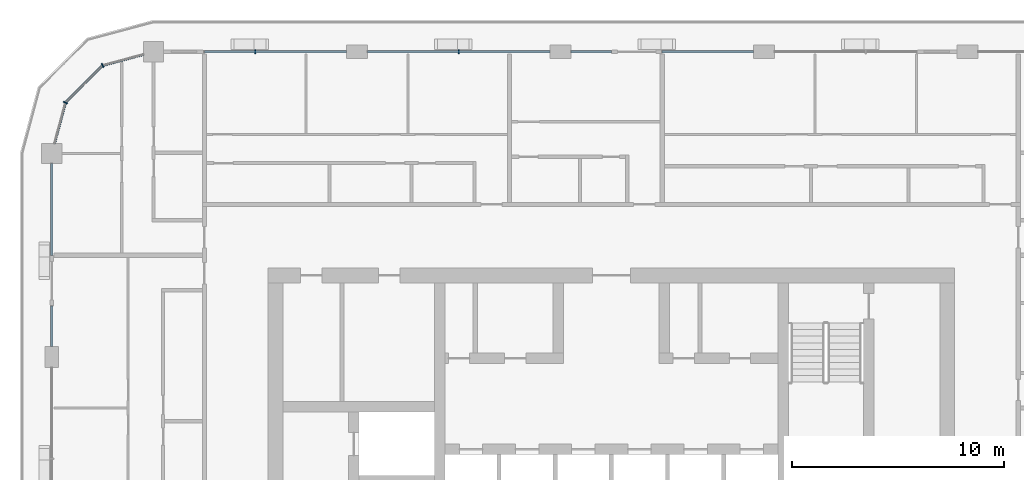
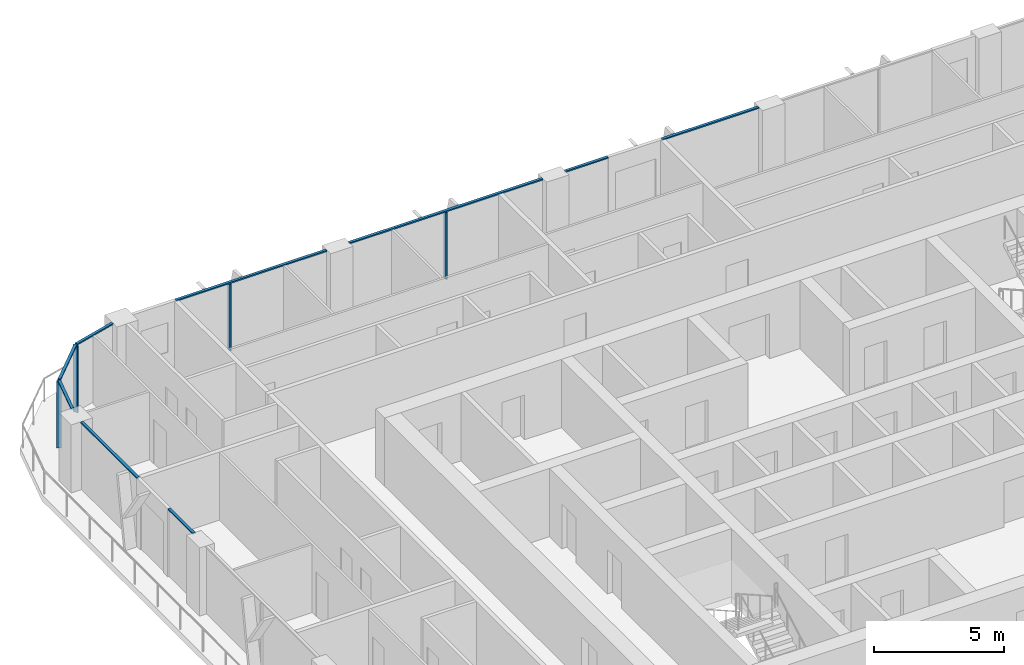
# One storey, part 5 of 22: 13 members, 5 elements without a shape of their own.
"""IFC4 building model written with IfcOpenShell, lengths in metres."""

from ifc_helpers import new_model, si_unit, direction, frame, origin, origin_2d, place, context, subcontext, project, spatial, rectangle, extrude, material, layer, layer_set, material_profile, profile_set, type_object, element, aggregate, save


model = new_model("IFC4")

# Units and contexts
model_context = context("Model", 3, precision=1e-05, world=origin(), true_north=direction((0.0, 1.0)))
body_context = subcontext(model_context, "Body", "Model", "MODEL_VIEW")
ifc_project = project(units=[si_unit("LENGTHUNIT", "METRE"), si_unit("AREAUNIT", "SQUARE_METRE"), si_unit("VOLUMEUNIT", "CUBIC_METRE"), si_unit("PLANEANGLEUNIT", "RADIAN"), si_unit("MASSUNIT", "GRAM", prefix="KILO")], contexts=[model_context])

# Site, building, storey
site_placement = place(None, origin())
site = spatial("IfcSite", under=ifc_project, at=site_placement, CompositionType="ELEMENT")
building_placement = place(site_placement, origin())
building = spatial("IfcBuilding", under=site, at=building_placement, Name="Madar Terraces", CompositionType="ELEMENT")
storey_placement = place(building_placement, frame((0.0, 0.0, 178.89990234375)))
storey = spatial("IfcBuildingStorey", under=building, at=storey_placement, Name="L46", CompositionType="ELEMENT", Elevation=178.89990234375)

# Curtain wall, member
ifc_material_1 = material(Name="Glass, ceramic frit dark grey, with black aluminium frame", Category="aluminium")
ifc_layer = layer(ifc_material_1, 0.199951171875)
ifc_layer_set = layer_set([ifc_layer], Name="Facade curtain wall, fritted glass")
curtain_wall_type = type_object("IfcCurtainWallType", Name="Facade curtain wall, fritted glass", PredefinedType="NOTDEFINED", material=ifc_layer_set)
curtain_wall_1_placement = place(storey_placement, origin())
curtain_wall_1 = element("IfcCurtainWall", 1, at=curtain_wall_1_placement, inside=storey, type_object=curtain_wall_type, Name="Outer skin curtain wall north bay 4", PredefinedType="NOTDEFINED")
ifc_material_2 = material(Name="Aluminium, black anodised", Category="aluminium")
ifc_material_profile_1 = material_profile(ifc_material_2, rectangle(XDim=0.199951171875, YDim=0.06005859375, at=origin_2d()), Name="Facade mullion 60x200")
ifc_profile_set_1 = profile_set([ifc_material_profile_1], Name="Aluminium, black anodised")
member_type_1 = type_object("IfcMemberType", Name="Facade mullion 60x200", PredefinedType="MULLION", material=ifc_profile_set_1)
member_1_placement = place(storey_placement, frame((24.0, 48.0, 0.0), z_axis=(0.0, 0.0, 1.0), x_axis=(0.0, -1.0, 0.0)))
member_1 = element("IfcMember", 2, at=member_1_placement, type_object=member_type_1, Name="Mullion 1", PredefinedType="MULLION", context=body_context, shape_type="SweptSolid", body=[
    extrude(rectangle(XDim=0.199951171875, YDim=0.06005859375, at=origin_2d()), origin(), (0.0, 0.0, 1.0), 3.14013671875),
])

curtain_wall_2_placement = place(storey_placement, origin())
curtain_wall_2 = element("IfcCurtainWall", 3, at=curtain_wall_2_placement, inside=storey, type_object=curtain_wall_type, Name="Outer skin curtain wall north bay 5", PredefinedType="NOTDEFINED")
member_2_placement = place(storey_placement, frame((14.39990234375, 48.0, 0.0), z_axis=(0.0, 0.0, 1.0), x_axis=(0.0, -1.0, 0.0)))
member_2 = element("IfcMember", 4, at=member_2_placement, type_object=member_type_1, Name="Mullion 1", PredefinedType="MULLION", context=body_context, shape_type="SweptSolid", body=[
    extrude(rectangle(XDim=0.199951171875, YDim=0.06005859375, at=origin_2d()), origin(), (0.0, 0.0, 1.0), 3.14013671875),
])

# Curtain wall, members
curtain_wall_3_placement = place(storey_placement, origin())
curtain_wall_3 = element("IfcCurtainWall", 5, at=curtain_wall_3_placement, inside=storey, type_object=curtain_wall_type, Name="Outer skin curtain wall north-west corner", PredefinedType="NOTDEFINED")
member_3_placement = place(storey_placement, frame((7.199951171875, 47.35693359375, 0.0), z_axis=(0.0, 0.0, 1.0), x_axis=(0.499999989586, -0.866025409797, 0.0)))
member_3 = element("IfcMember", 6, at=member_3_placement, type_object=member_type_1, Name="Mullion 1", PredefinedType="MULLION", context=body_context, shape_type="SweptSolid", body=[
    extrude(rectangle(XDim=0.199951171875, YDim=0.06005859375, at=origin_2d()), origin(), (0.0, 0.0, 1.0), 3.14013671875),
])
member_4_placement = place(storey_placement, frame((5.443115234375, 45.60009765625, 0.0), z_axis=(0.0, 0.0, 1.0), x_axis=(0.866025409797, -0.499999989586, 0.0)))
member_4 = element("IfcMember", 7, at=member_4_placement, type_object=member_type_1, Name="Mullion 2", PredefinedType="MULLION", context=body_context, shape_type="SweptSolid", body=[
    extrude(rectangle(XDim=0.199951171875, YDim=0.06005859375, at=origin_2d()), origin(), (0.0, 0.0, 1.0), 3.14013671875),
])

curtain_wall_4_placement = place(storey_placement, origin())
curtain_wall_4 = element("IfcCurtainWall", 8, at=curtain_wall_4_placement, inside=storey, type_object=curtain_wall_type, Name="Outer skin curtain wall north bay 3", PredefinedType="NOTDEFINED")
ifc_material_3 = material(Name="Aluminium, black anodised", Category="aluminium")
ifc_material_profile_2 = material_profile(ifc_material_3, rectangle(XDim=0.1201171875, YDim=0.06005859375, at=origin_2d()), Name="Facade transom 60x120")
ifc_profile_set_2 = profile_set([ifc_material_profile_2], Name="Aluminium, black anodised")
member_type_2 = type_object("IfcMemberType", Name="Facade transom 60x120", PredefinedType="USERDEFINED", material=ifc_profile_set_2)
member_5_placement = place(storey_placement, frame((37.89990234375, 48.0, 3.170166015625), z_axis=(-1.0, 0.0, 0.0), x_axis=(0.0, -1.0, 0.0)))
member_5 = element("IfcMember", 9, at=member_5_placement, type_object=member_type_2, Name="Transom 1", ObjectType="TRANSOM", PredefinedType="USERDEFINED", context=body_context, shape_type="SweptSolid", body=[
    extrude(rectangle(XDim=0.1201171875, YDim=0.06005859375, at=origin_2d()), origin(), (0.0, 0.0, 1.0), 4.2998046875),
])
member_6_placement = place(storey_placement, frame((31.199951171875, 48.0, 3.170166015625), z_axis=(-1.0, 0.0, 0.0), x_axis=(0.0, -1.0, 0.0)))
member_6 = element("IfcMember", 10, at=member_6_placement, type_object=member_type_2, Name="Transom 2", ObjectType="TRANSOM", PredefinedType="USERDEFINED", context=body_context, shape_type="SweptSolid", body=[
    extrude(rectangle(XDim=0.1201171875, YDim=0.06005859375, at=origin_2d()), origin(), (0.0, 0.0, 1.0), 1.89990234375),
])
aggregate(curtain_wall_4, [member_5, member_6])

# Member
member_7_placement = place(storey_placement, frame((28.300048828125, 48.0, 3.170166015625), z_axis=(-1.0, 0.0, 0.0), x_axis=(0.0, -1.0, 0.0)))
member_7 = element("IfcMember", 11, at=member_7_placement, type_object=member_type_2, Name="Transom 1", ObjectType="TRANSOM", PredefinedType="USERDEFINED", context=body_context, shape_type="SweptSolid", body=[
    extrude(rectangle(XDim=0.1201171875, YDim=0.06005859375, at=origin_2d()), origin(), (0.0, 0.0, 1.0), 8.60009765625),
])

aggregate(curtain_wall_1, [member_1, member_7])

member_8_placement = place(storey_placement, frame((18.699951171875, 48.0, 3.170166015625), z_axis=(-1.0, 0.0, 0.0), x_axis=(0.0, -1.0, 0.0)))
member_8 = element("IfcMember", 12, at=member_8_placement, type_object=member_type_2, Name="Transom 1", ObjectType="TRANSOM", PredefinedType="USERDEFINED", context=body_context, shape_type="SweptSolid", body=[
    extrude(rectangle(XDim=0.1201171875, YDim=0.06005859375, at=origin_2d()), origin(), (0.0, 0.0, 1.0), 6.699951171875),
])

aggregate(curtain_wall_2, [member_2, member_8])

# Curtain wall, members
curtain_wall_5_placement = place(storey_placement, origin())
curtain_wall_5 = element("IfcCurtainWall", 13, at=curtain_wall_5_placement, inside=storey, type_object=curtain_wall_type, Name="Outer skin curtain wall west bay 1", PredefinedType="NOTDEFINED")
member_9_placement = place(storey_placement, frame((4.800048828125, 42.72509765625, 3.170166015625), z_axis=(0.0, -1.0, 0.0), x_axis=(1.0, 0.0, 0.0)))
member_9 = element("IfcMember", 14, at=member_9_placement, type_object=member_type_2, Name="Transom 1", ObjectType="TRANSOM", PredefinedType="USERDEFINED", context=body_context, shape_type="SweptSolid", body=[
    extrude(rectangle(XDim=0.1201171875, YDim=0.06005859375, at=origin_2d()), origin(), (0.0, 0.0, 1.0), 4.3251953125),
])
member_10_placement = place(storey_placement, frame((4.800048828125, 36.0, 3.170166015625), z_axis=(0.0, -1.0, 0.0), x_axis=(1.0, 0.0, 0.0)))
member_10 = element("IfcMember", 15, at=member_10_placement, type_object=member_type_2, Name="Transom 2", ObjectType="TRANSOM", PredefinedType="USERDEFINED", context=body_context, shape_type="SweptSolid", body=[
    extrude(rectangle(XDim=0.1201171875, YDim=0.06005859375, at=origin_2d()), origin(), (0.0, 0.0, 1.0), 1.89990234375),
])
aggregate(curtain_wall_5, [member_9, member_10])

# Member
member_11_placement = place(storey_placement, frame((9.125, 47.872802734375, 3.170166015625), z_axis=(-0.96592251241, -0.258831412352, 0.0), x_axis=(0.258831412352, -0.96592251241, 0.0)))
member_11 = element("IfcMember", 16, at=member_11_placement, type_object=member_type_2, Name="Transom 1", ObjectType="TRANSOM", PredefinedType="USERDEFINED", context=body_context, shape_type="SweptSolid", body=[
    extrude(rectangle(XDim=0.1201171875, YDim=0.06005859375, at=origin_2d()), origin(), (0.0, 0.0, 1.0), 1.962890625),
])

member_12_placement = place(storey_placement, frame((7.1787109375, 47.335693359375, 3.170166015625), z_axis=(-0.707056433593, -0.707157125196, 0.0), x_axis=(0.707157125196, -0.707056433593, 0.0)))
member_12 = element("IfcMember", 17, at=member_12_placement, type_object=member_type_2, Name="Transom 2", ObjectType="TRANSOM", PredefinedType="USERDEFINED", context=body_context, shape_type="SweptSolid", body=[
    extrude(rectangle(XDim=0.1201171875, YDim=0.06005859375, at=origin_2d()), origin(), (0.0, 0.0, 1.0), 2.424560546875),
])

member_13_placement = place(storey_placement, frame((5.435302734375, 45.571044921875, 3.170166015625), z_axis=(-0.258831412352, -0.96592251241, 0.0), x_axis=(0.96592251241, -0.258831412352, 0.0)))
member_13 = element("IfcMember", 18, at=member_13_placement, type_object=member_type_2, Name="Transom 3", ObjectType="TRANSOM", PredefinedType="USERDEFINED", context=body_context, shape_type="SweptSolid", body=[
    extrude(rectangle(XDim=0.1201171875, YDim=0.06005859375, at=origin_2d()), origin(), (0.0, 0.0, 1.0), 1.962890625),
])

aggregate(curtain_wall_3, [member_3, member_11, member_4, member_12, member_13])

save(model, "model.ifc")
